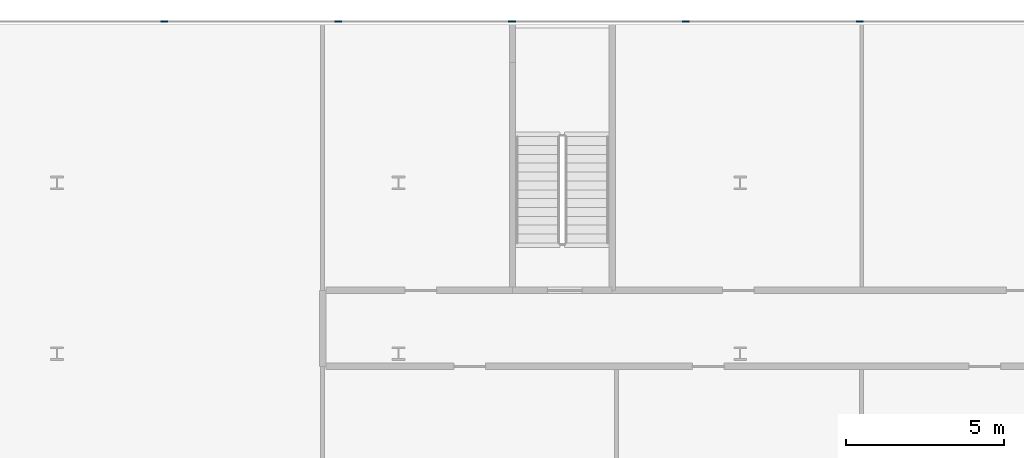
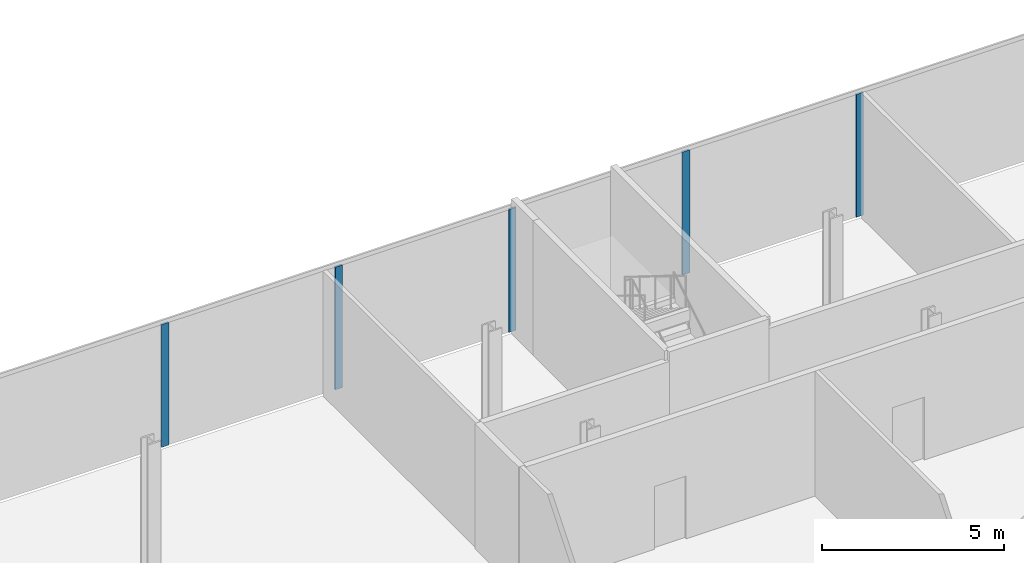
# One storey, part 18 of 47: 5 members, 1 element without a shape of its own.
"""IFC4 building model written with IfcOpenShell, lengths in metres."""

from ifc_helpers import new_model, si_unit, direction, frame, origin, origin_2d, place, context, subcontext, project, spatial, rectangle, extrude, material, layer, layer_set, material_profile, profile_set, type_object, element, aggregate, save


model = new_model("IFC4")

# Units and contexts
model_context = context("Model", 3, precision=1e-05, world=origin(), true_north=direction((0.0, 1.0)))
body_context = subcontext(model_context, "Body", "Model", "MODEL_VIEW")
ifc_project = project(units=[si_unit("LENGTHUNIT", "METRE"), si_unit("AREAUNIT", "SQUARE_METRE"), si_unit("VOLUMEUNIT", "CUBIC_METRE"), si_unit("PLANEANGLEUNIT", "RADIAN"), si_unit("MASSUNIT", "GRAM", prefix="KILO")], contexts=[model_context])

# Site, building, storey
site_placement = place(None, origin())
site = spatial("IfcSite", under=ifc_project, at=site_placement, CompositionType="ELEMENT")
building_placement = place(site_placement, origin())
building = spatial("IfcBuilding", under=site, at=building_placement, Name="Kheshtan School and Residences Tower", CompositionType="ELEMENT")
storey_placement = place(building_placement, frame((0.0, 0.0, 12.5)))
storey = spatial("IfcBuildingStorey", under=building, at=storey_placement, Name="L02", CompositionType="ELEMENT", Elevation=12.5)

# Curtain wall, members
ifc_material_1 = material(Name="Clear low-e glass in thermally broken aluminium frame", Category="aluminium")
ifc_layer = layer(ifc_material_1, 0.22509765625)
ifc_layer_set = layer_set([ifc_layer], Name="Curtain wall CW-P")
curtain_wall_type = type_object("IfcCurtainWallType", Name="Curtain wall CW-P", PredefinedType="NOTDEFINED", material=ifc_layer_set)
curtain_wall_placement = place(storey_placement, origin())
curtain_wall = element("IfcCurtainWall", 1, at=curtain_wall_placement, inside=storey, type_object=curtain_wall_type, Name="Curtain wall CWP4a", PredefinedType="NOTDEFINED")
ifc_material_2 = material(Name="Thermally broken aluminium, dark bronze anodised", Category="aluminium")
ifc_material_profile = material_profile(ifc_material_2, rectangle(XDim=0.06005859375, YDim=0.22509765625, at=origin_2d()), Name="CW-P mullion 60x225")
ifc_profile_set = profile_set([ifc_material_profile], Name="Thermally broken aluminium, dark bronze anodised")
member_type = type_object("IfcMemberType", Name="CW-P mullion 60x225", PredefinedType="MULLION", material=ifc_profile_set)
member_1_placement = place(storey_placement, frame((50.989013671875, 110.10009765625, 0.0), z_axis=(0.0, 0.0, 1.0), x_axis=(0.0, 1.0, 0.0)))
member_1 = element("IfcMember", 2, at=member_1_placement, type_object=member_type, Name="CWP4a mullion 7", PredefinedType="MULLION", context=body_context, shape_type="SweptSolid", body=[
    extrude(rectangle(XDim=0.06005859375, YDim=0.22509765625, at=origin_2d()), origin(), (0.0, 0.0, 1.0), 4.110107421875),
])
member_2_placement = place(storey_placement, frame((56.4873046875, 110.10009765625, 0.0), z_axis=(0.0, 0.0, 1.0), x_axis=(0.0, 1.0, 0.0)))
member_2 = element("IfcMember", 3, at=member_2_placement, type_object=member_type, Name="CWP4a mullion 8", PredefinedType="MULLION", context=body_context, shape_type="SweptSolid", body=[
    extrude(rectangle(XDim=0.06005859375, YDim=0.22509765625, at=origin_2d()), origin(), (0.0, 0.0, 1.0), 4.110107421875),
])
member_3_placement = place(storey_placement, frame((61.9853515625, 110.10009765625, 0.0), z_axis=(0.0, 0.0, 1.0), x_axis=(0.0, 1.0, 0.0)))
member_3 = element("IfcMember", 4, at=member_3_placement, type_object=member_type, Name="CWP4a mullion 9", PredefinedType="MULLION", context=body_context, shape_type="SweptSolid", body=[
    extrude(rectangle(XDim=0.06005859375, YDim=0.22509765625, at=origin_2d()), origin(), (0.0, 0.0, 1.0), 4.110107421875),
])
member_4_placement = place(storey_placement, frame((67.483642578125, 110.10009765625, 0.0), z_axis=(0.0, 0.0, 1.0), x_axis=(0.0, 1.0, 0.0)))
member_4 = element("IfcMember", 5, at=member_4_placement, type_object=member_type, Name="CWP4a mullion 10", PredefinedType="MULLION", context=body_context, shape_type="SweptSolid", body=[
    extrude(rectangle(XDim=0.06005859375, YDim=0.22509765625, at=origin_2d()), origin(), (0.0, 0.0, 1.0), 4.110107421875),
])
member_5_placement = place(storey_placement, frame((72.98193359375, 110.10009765625, 0.0), z_axis=(0.0, 0.0, 1.0), x_axis=(0.0, 1.0, 0.0)))
member_5 = element("IfcMember", 6, at=member_5_placement, type_object=member_type, Name="CWP4a mullion 11", PredefinedType="MULLION", context=body_context, shape_type="SweptSolid", body=[
    extrude(rectangle(XDim=0.06005859375, YDim=0.22509765625, at=origin_2d()), origin(), (0.0, 0.0, 1.0), 4.110107421875),
])
aggregate(curtain_wall, [member_1, member_2, member_3, member_4, member_5])

save(model, "model.ifc")
